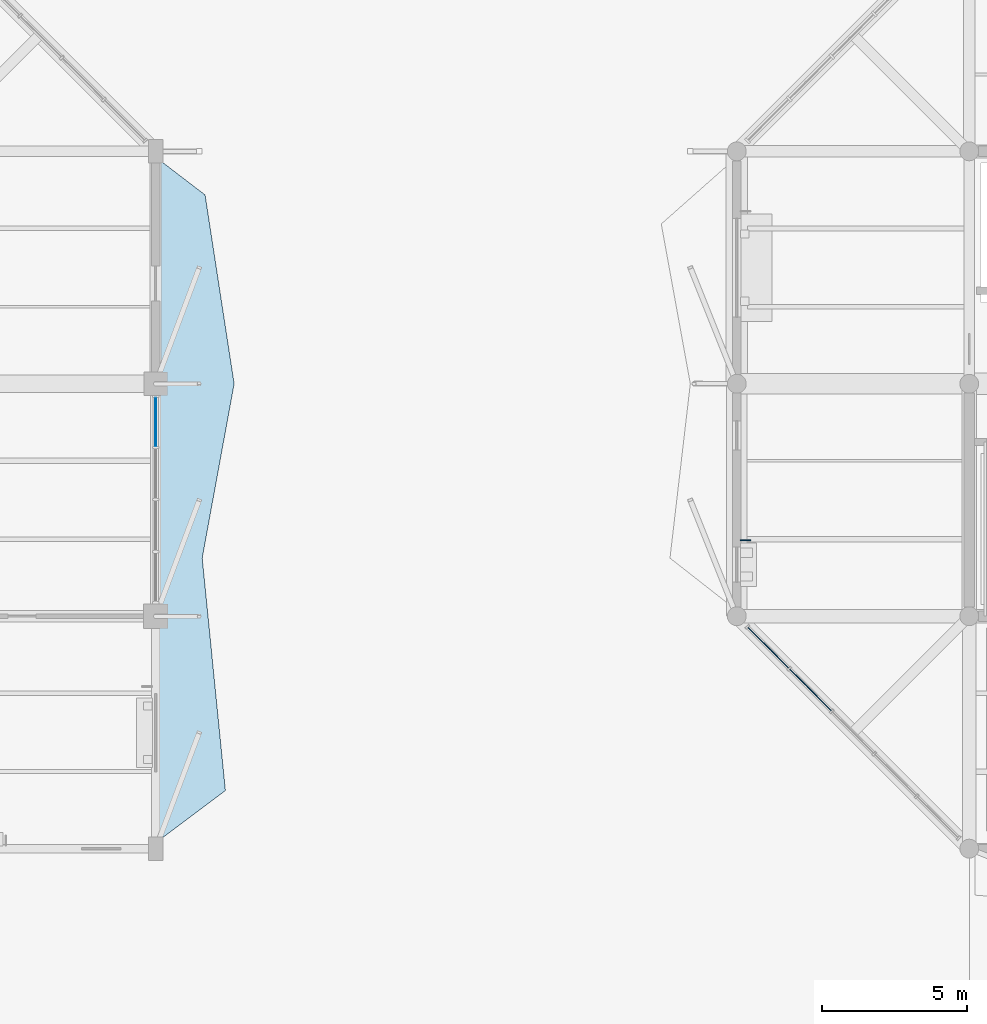
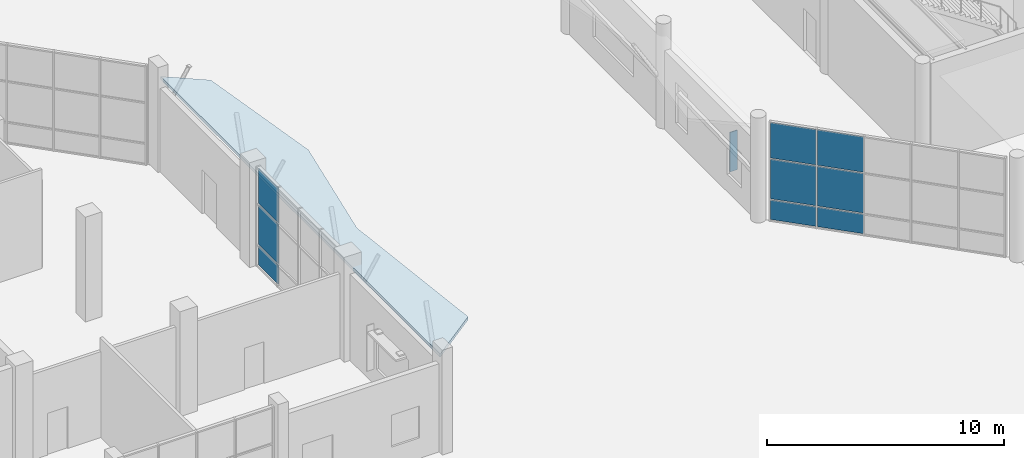
# One storey, part 82 of 123: 10 plates, 1 slab, 2 elements without a shape of their own.
"""IFC4 building model written with IfcOpenShell, lengths in metres."""

from ifc_helpers import new_model, si_unit, direction, frame, origin, origin_2d, place, context, subcontext, project, spatial, polyline, rectangle, outline, extrude, material, layer, layer_set, type_object, element, aggregate, save


model = new_model("IFC4")

# Units and contexts
model_context = context("Model", 3, precision=1e-05, world=origin(), true_north=direction((0.0, 1.0)))
body_context = subcontext(model_context, "Body", "Model", "MODEL_VIEW")
ifc_project = project(units=[si_unit("LENGTHUNIT", "METRE"), si_unit("AREAUNIT", "SQUARE_METRE"), si_unit("VOLUMEUNIT", "CUBIC_METRE"), si_unit("PLANEANGLEUNIT", "RADIAN"), si_unit("MASSUNIT", "GRAM", prefix="KILO")], contexts=[model_context])

# Site, building, storey
site_placement = place(None, origin())
site = spatial("IfcSite", under=ifc_project, at=site_placement, CompositionType="ELEMENT")
building_placement = place(site_placement, origin())
building = spatial("IfcBuilding", under=site, at=building_placement, Name="Tenunan Teduh Sports Hall", CompositionType="ELEMENT")
storey_placement = place(building_placement, origin())
storey = spatial("IfcBuildingStorey", under=building, at=storey_placement, Name="L00", CompositionType="ELEMENT", Elevation=0.0)

# Curtain wall, plates
ifc_material_1 = material(Name="Anodised aluminium", Category="aluminium")
curtain_wall_type = type_object("IfcCurtainWallType", Name="CW-UNIT-1", PredefinedType="NOTDEFINED", material=ifc_material_1)
curtain_wall_1_placement = place(storey_placement, origin())
curtain_wall_1 = element("IfcCurtainWall", 1, at=curtain_wall_1_placement, inside=storey, type_object=curtain_wall_type, Name="CW-CWM-175-L00-242", PredefinedType="NOTDEFINED")
ifc_material_2 = material(Name="Low-E laminated double glazing", Category="glass")
ifc_layer_1 = layer(ifc_material_2, 0.028076171875)
ifc_layer_set_1 = layer_set([ifc_layer_1], Name="Low-E laminated double glazing")
plate_type_1 = type_object("IfcPlateType", Name="CWP-GLZ-28", PredefinedType="CURTAIN_PANEL", material=ifc_layer_set_1)
plate_1_placement = place(storey_placement, frame((99.08447265625, 92.91552734375, 1.13232421875), z_axis=(0.0, 0.0, 1.0), x_axis=(0.707106781187, -0.707106781187, 0.0)))
plate_1 = element("IfcPlate", 2, at=plate_1_placement, type_object=plate_type_1, Name="CW-01 panel 1.2", PredefinedType="CURTAIN_PANEL", context=body_context, shape_type="SweptSolid", body=[
    extrude(rectangle(XDim=1.97216796875, YDim=0.028076171875, at=origin_2d()), origin(), (0.0, 0.0, 1.0), 2.034912109375),
])
plate_2_placement = place(storey_placement, frame((99.08447265625, 92.91552734375, 3.232421875), z_axis=(0.0, 0.0, 1.0), x_axis=(0.707106781187, -0.707106781187, 0.0)))
plate_2 = element("IfcPlate", 3, at=plate_2_placement, type_object=plate_type_1, Name="CW-01 panel 1.3", PredefinedType="CURTAIN_PANEL", context=body_context, shape_type="SweptSolid", body=[
    extrude(rectangle(XDim=1.97216796875, YDim=0.028076171875, at=origin_2d()), origin(), (0.0, 0.0, 1.0), 1.822509765625),
])
plate_3_placement = place(storey_placement, frame((100.53662109375, 91.46337890625, 1.13232421875), z_axis=(0.0, 0.0, 1.0), x_axis=(0.707106781187, -0.707106781187, 0.0)))
plate_3 = element("IfcPlate", 4, at=plate_3_placement, type_object=plate_type_1, Name="CW-01 panel 2.2", PredefinedType="CURTAIN_PANEL", context=body_context, shape_type="SweptSolid", body=[
    extrude(rectangle(XDim=2.004638671875, YDim=0.028076171875, at=origin_2d()), origin(), (0.0, 0.0, 1.0), 2.034912109375),
])
plate_4_placement = place(storey_placement, frame((100.53662109375, 91.46337890625, 3.232421875), z_axis=(0.0, 0.0, 1.0), x_axis=(0.707106781187, -0.707106781187, 0.0)))
plate_4 = element("IfcPlate", 5, at=plate_4_placement, type_object=plate_type_1, Name="CW-01 panel 2.3", PredefinedType="CURTAIN_PANEL", context=body_context, shape_type="SweptSolid", body=[
    extrude(rectangle(XDim=2.004638671875, YDim=0.028076171875, at=origin_2d()), origin(), (0.0, 0.0, 1.0), 1.822509765625),
])

curtain_wall_2_placement = place(storey_placement, origin())
curtain_wall_2 = element("IfcCurtainWall", 6, at=curtain_wall_2_placement, inside=storey, type_object=curtain_wall_type, Name="CW-CWM-220-L00-193", PredefinedType="NOTDEFINED")
ifc_material_3 = material(Name="Solar-control laminated glazing", Category="glass")
ifc_layer_2 = layer(ifc_material_3, 0.031982421875)
ifc_layer_set_2 = layer_set([ifc_layer_2], Name="Solar-control laminated glazing")
plate_type_2 = type_object("IfcPlateType", Name="CWP-GLZ-32", PredefinedType="CURTAIN_PANEL", material=ifc_layer_set_2)
plate_5_placement = place(storey_placement, frame((78.0, 100.684326171875, 1.137451171875), z_axis=(0.0, 0.0, 1.0), x_axis=(0.0, 1.0, 0.0)))
plate_5 = element("IfcPlate", 7, at=plate_5_placement, type_object=plate_type_2, Name="CW-01 panel 4.2", PredefinedType="CURTAIN_PANEL", context=body_context, shape_type="SweptSolid", body=[
    extrude(rectangle(XDim=1.68115234375, YDim=0.031982421875, at=origin_2d()), origin(), (0.0, 0.0, 1.0), 2.02490234375),
])
plate_6_placement = place(storey_placement, frame((78.0, 100.684326171875, 3.237548828125), z_axis=(0.0, 0.0, 1.0), x_axis=(0.0, 1.0, 0.0)))
plate_6 = element("IfcPlate", 8, at=plate_6_placement, type_object=plate_type_2, Name="CW-01 panel 4.3", PredefinedType="CURTAIN_PANEL", context=body_context, shape_type="SweptSolid", body=[
    extrude(rectangle(XDim=1.68115234375, YDim=0.031982421875, at=origin_2d()), origin(), (0.0, 0.0, 1.0), 1.8076171875),
])
ifc_material_4 = material(Name="Insulated aluminium spandrel panel", Category="aluminium")
ifc_layer_3 = layer(ifc_material_4, 0.044921875)
ifc_layer_set_3 = layer_set([ifc_layer_3], Name="Insulated aluminium spandrel panel")
plate_type_3 = type_object("IfcPlateType", Name="CWP-SPN-45", PredefinedType="CURTAIN_PANEL", material=ifc_layer_set_3)
plate_7_placement = place(storey_placement, frame((78.0, 100.684326171875, 0.0751953125), z_axis=(0.0, 0.0, 1.0), x_axis=(0.0, 1.0, 0.0)))
plate_7 = element("IfcPlate", 9, at=plate_7_placement, type_object=plate_type_3, Name="CW-01 panel 4.1", PredefinedType="CURTAIN_PANEL", context=body_context, shape_type="SweptSolid", body=[
    extrude(rectangle(XDim=1.68115234375, YDim=0.031982421875, at=origin_2d()), origin(), (0.0, 0.0, 1.0), 0.987548828125),
])
aggregate(curtain_wall_2, [plate_7, plate_5, plate_6])

# Plate
plate_8_placement = place(storey_placement, frame((99.08447265625, 92.91552734375, 0.06494140625), z_axis=(0.0, 0.0, 1.0), x_axis=(0.707106781187, -0.707106781187, 0.0)))
plate_8 = element("IfcPlate", 10, at=plate_8_placement, type_object=plate_type_3, Name="CW-01 panel 1.1", PredefinedType="CURTAIN_PANEL", context=body_context, shape_type="SweptSolid", body=[
    extrude(rectangle(XDim=1.97216796875, YDim=0.028076171875, at=origin_2d()), origin(), (0.0, 0.0, 1.0), 1.00244140625),
])

plate_9_placement = place(storey_placement, frame((100.53662109375, 91.46337890625, 0.06494140625), z_axis=(0.0, 0.0, 1.0), x_axis=(0.707106781187, -0.707106781187, 0.0)))
plate_9 = element("IfcPlate", 11, at=plate_9_placement, type_object=plate_type_3, Name="CW-01 panel 2.1", PredefinedType="CURTAIN_PANEL", context=body_context, shape_type="SweptSolid", body=[
    extrude(rectangle(XDim=2.004638671875, YDim=0.028076171875, at=origin_2d()), origin(), (0.0, 0.0, 1.0), 1.00244140625),
])

aggregate(curtain_wall_1, [plate_8, plate_1, plate_2, plate_9, plate_3, plate_4])

ifc_material_5 = material(Name="Anodised aluminium", Category="aluminium")
ifc_layer_4 = layer(ifc_material_5, 1.89990234375)
ifc_layer_set_4 = layer_set([ifc_layer_4], Name="Anodised aluminium")
plate_type_4 = type_object("IfcPlateType", Name="PLT-FIN-1", PredefinedType="SHEET", material=ifc_layer_set_4)
plate_10_placement = place(storey_placement, frame((98.304931640625, 96.614990234375, 0.780029296875), z_axis=(0.0, 0.0, 1.0), x_axis=(0.0, 1.0, 0.0)))
element("IfcPlate", 12, at=plate_10_placement, inside=storey, type_object=plate_type_4, Name="PLT-FIN-L00-079", PredefinedType="SHEET", context=body_context, shape_type="SweptSolid", body=[
    extrude(rectangle(XDim=0.0400390625, YDim=0.360107421875, at=origin_2d()), origin(), (0.0, 0.0, 1.0), 2.0400390625),
])

# Slab
ifc_material_6 = material(Name="Concrete C40/50", Category="concrete")
ifc_layer_5 = layer(ifc_material_6, 0.159912109375)
ifc_layer_set_5 = layer_set([ifc_layer_5], Name="Concrete C40/50")
slab_type = type_object("IfcSlabType", Name="SLB-ROOF-160", PredefinedType="ROOF", material=ifc_layer_set_5)
slab_placement = place(storey_placement, frame((0.0, 0.0, 4.590087890625)))
element("IfcSlab", 13, at=slab_placement, inside=storey, type_object=slab_type, Name="Window Head Sun-Shade Hood SHD-RIB-V5W-E-L00", PredefinedType="ROOF", context=body_context, shape_type="SweptSolid", body=[
    extrude(outline(polyline([(78.0, 86.199951171875), (80.39990234375, 88.0), (79.60009765625, 96.0), (80.699951171875, 102.0), (79.699951171875, 108.5), (78.0, 109.800048828125), (78.0, 86.199951171875)])), origin(), (0.0, 0.0, 1.0), 0.159912109375),
])

save(model, "model.ifc")
